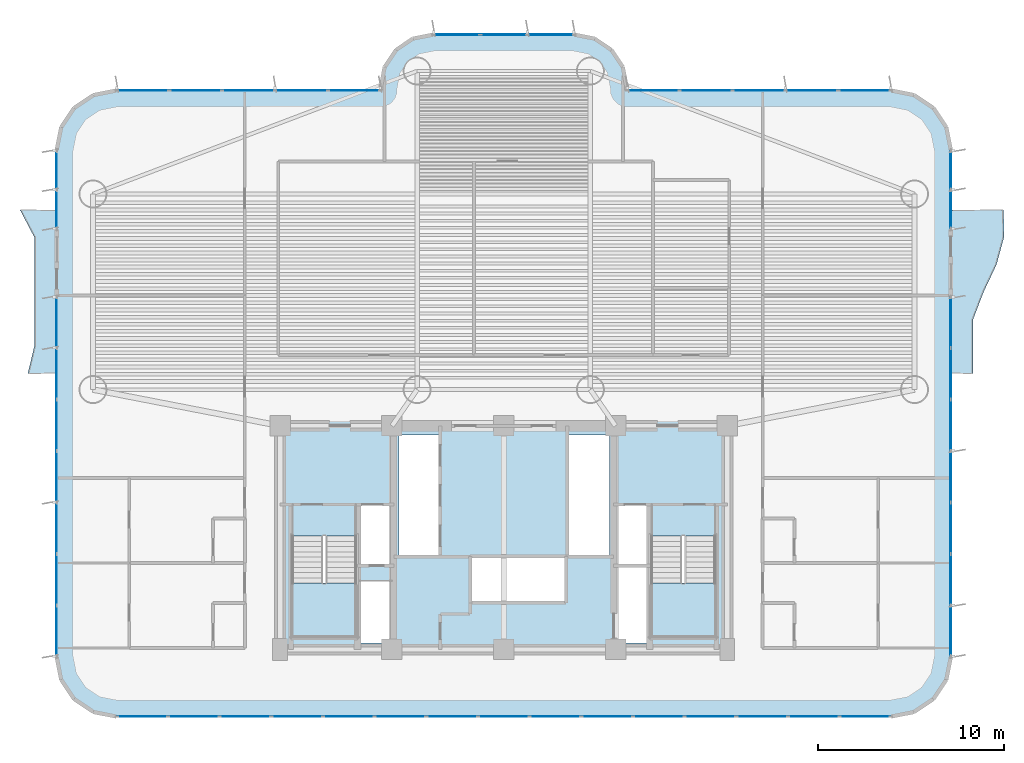
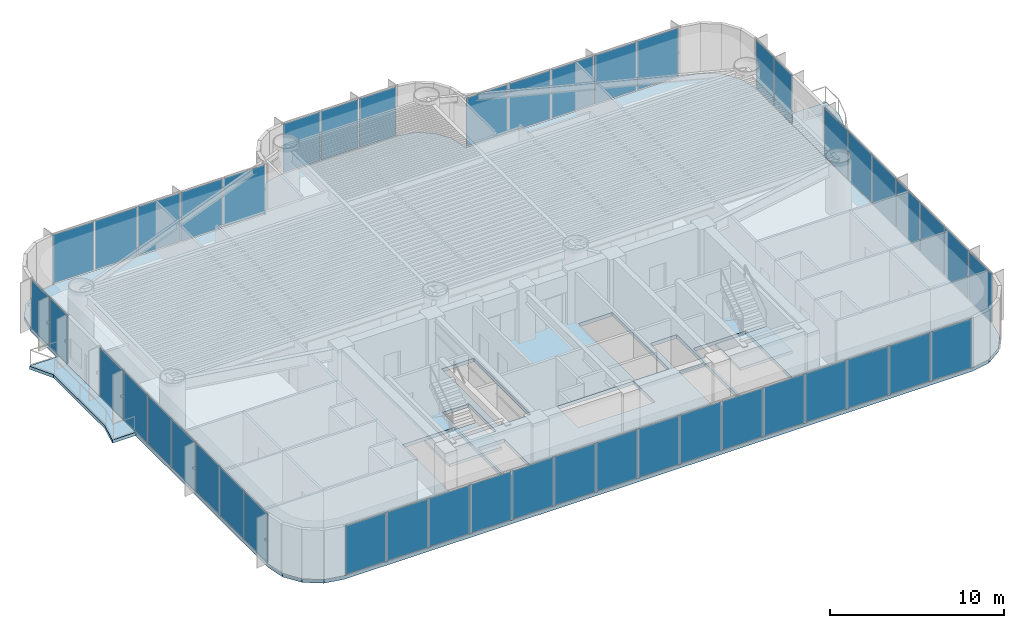
# One storey, part 9 of 17: 46 plates, 5 slabs, 10 elements without a shape of their own.
"""IFC4 building model written with IfcOpenShell, lengths in metres."""

from ifc_helpers import new_model, si_unit, direction, frame, origin, origin_2d, place, context, subcontext, project, spatial, polyline, rectangle, outline, extrude, source, transform, mapped, material, layer, layer_set, type_object, element, aggregate, save


model = new_model("IFC4")

# Units and contexts
model_context = context("Model", 3, precision=1e-05, world=origin(), true_north=direction((0.0, 1.0)))
body_context = subcontext(model_context, "Body", "Model", "MODEL_VIEW")
ifc_project = project(units=[si_unit("LENGTHUNIT", "METRE"), si_unit("AREAUNIT", "SQUARE_METRE"), si_unit("VOLUMEUNIT", "CUBIC_METRE"), si_unit("PLANEANGLEUNIT", "RADIAN"), si_unit("MASSUNIT", "GRAM", prefix="KILO")], contexts=[model_context])

# Site, building, storey
site_placement = place(None, origin())
site = spatial("IfcSite", under=ifc_project, at=site_placement, CompositionType="ELEMENT")
building_placement = place(site_placement, origin())
building = spatial("IfcBuilding", under=site, at=building_placement, Name="Brelvock Crest Care Tower", CompositionType="ELEMENT")
storey_placement = place(building_placement, frame((0.0, 0.0, 49.679931640625)))
storey = spatial("IfcBuildingStorey", under=building, at=storey_placement, Name="L12", CompositionType="ELEMENT", Elevation=49.679931640625)

# Slabs
ifc_material_1 = material(Name="Concrete N50 (50 MPa)", Category="concrete")
ifc_layer_1 = layer(ifc_material_1, 0.25, Name="SLB-FL3")
ifc_layer_set_1 = layer_set([ifc_layer_1], Name="Concrete N50 (50 MPa)")
slab_type_1 = type_object("IfcSlabType", Name="SLB-FL3", PredefinedType="FLOOR", material=ifc_layer_set_1)
slab_1_placement = place(storey_placement, frame((0.0, 0.0, -0.25)))
element("IfcSlab", 1, at=slab_1_placement, inside=storey, type_object=slab_type_1, Name="L12 Main Structural Slab", PredefinedType="FLOOR", context=body_context, shape_type="SweptSolid", body=[
    extrude(outline(polyline([(56.800048828125, 36.0), (42.60009765625, 36.0), (42.60009765625, 36.199951171875), (42.386962890625, 37.271484375), (41.77978515625, 38.179931640625), (40.87158203125, 38.786865234375), (39.800048828125, 39.0), (32.199951171875, 39.0), (31.12841796875, 38.786865234375), (30.22021484375, 38.179931640625), (29.613037109375, 37.271484375), (29.39990234375, 36.199951171875), (29.39990234375, 36.0), (15.199951171875, 36.0), (13.975341796875, 35.75634765625), (12.937255859375, 35.062744140625), (12.24365234375, 34.024658203125), (12.0, 32.800048828125), (12.0, 5.60009765625), (12.24365234375, 4.37548828125), (12.937255859375, 3.33740234375), (13.975341796875, 2.6435546875), (15.199951171875, 2.39990234375), (56.800048828125, 2.39990234375), (58.024658203125, 2.6435546875), (59.062744140625, 3.33740234375), (59.75634765625, 4.37548828125), (60.0, 5.60009765625), (60.0, 32.800048828125), (59.75634765625, 34.024658203125), (59.062744140625, 35.062744140625), (58.024658203125, 35.75634765625), (56.800048828125, 36.0)]), holes=[polyline([(28.239990234375, 10.580078125), (29.97998046875, 10.580078125), (29.97998046875, 13.739990234375), (28.239990234375, 13.739990234375), (28.239990234375, 10.580078125)]), polyline([(42.02001953125, 10.580078125), (43.760009765625, 10.580078125), (43.760009765625, 13.739990234375), (42.02001953125, 13.739990234375), (42.02001953125, 10.580078125)]), polyline([(28.239990234375, 6.340087890625), (29.97998046875, 6.340087890625), (29.97998046875, 9.64990234375), (28.239990234375, 9.64990234375), (28.239990234375, 6.340087890625)]), polyline([(24.6298828125, 12.080078125), (24.6298828125, 6.699951171875), (28.110107421875, 6.699951171875), (28.110107421875, 12.080078125), (24.6298828125, 12.080078125)]), polyline([(43.889892578125, 12.080078125), (43.889892578125, 6.699951171875), (47.3701171875, 6.699951171875), (47.3701171875, 12.080078125), (43.889892578125, 12.080078125)]), polyline([(42.02001953125, 6.340087890625), (43.760009765625, 6.340087890625), (43.760009765625, 10.5), (42.02001953125, 10.5), (42.02001953125, 6.340087890625)]), polyline([(30.3798828125, 11.030029296875), (32.52001953125, 11.030029296875), (32.52001953125, 17.52001953125), (30.3798828125, 17.52001953125), (30.3798828125, 11.030029296875)]), polyline([(34.22998046875, 8.530029296875), (39.320068359375, 8.530029296875), (39.320068359375, 10.969970703125), (34.22998046875, 10.969970703125), (34.22998046875, 8.530029296875)]), polyline([(39.429931640625, 11.030029296875), (41.669921875, 11.030029296875), (41.669921875, 17.52001953125), (39.429931640625, 17.52001953125), (39.429931640625, 11.030029296875)])]), origin(), (0.0, 0.0, 1.0), 0.25),
])
ifc_layer_2 = layer(ifc_material_1, 0.219970703125, Name="SLB-WB1")
ifc_layer_set_2 = layer_set([ifc_layer_2], Name="Concrete N50 (50 MPa)")
slab_type_2 = type_object("IfcSlabType", Name="SLB-WB1", PredefinedType="FLOOR", material=ifc_layer_set_2)
slab_2_placement = place(storey_placement, frame((0.0, 0.0, -0.219970703125)))
element("IfcSlab", 2, at=slab_2_placement, inside=storey, type_object=slab_type_2, Name="L12 W Sinusoidal Wave Balcony Slab", PredefinedType="FLOOR", context=body_context, shape_type="SweptSolid", body=[
    extrude(outline(polyline([(12.0, 29.60009765625), (10.03271484375, 29.60009765625), (10.79931640625, 28.13330078125), (10.800048828125, 26.666748046875), (10.800048828125, 25.199951171875), (10.800048828125, 23.7333984375), (10.800048828125, 22.2666015625), (10.449951171875, 20.800048828125), (12.0, 20.800048828125), (12.0, 29.60009765625)])), origin(), (0.0, 0.0, 1.0), 0.219970703125),
])
slab_3_placement = place(storey_placement, frame((0.0, 0.0, -0.219970703125)))
element("IfcSlab", 3, at=slab_3_placement, inside=storey, type_object=slab_type_2, Name="L12 E Sinusoidal Wave Balcony Slab", PredefinedType="FLOOR", context=body_context, shape_type="SweptSolid", body=[
    extrude(outline(polyline([(60.0, 20.800048828125), (61.199951171875, 20.800048828125), (61.199951171875, 22.2666015625), (61.199951171875, 23.7333984375), (61.76123046875, 25.199951171875), (62.453369140625, 26.666748046875), (62.85400390625, 28.13330078125), (62.833984375, 29.60009765625), (60.0, 29.60009765625), (60.0, 20.800048828125)])), origin(), (0.0, 0.0, 1.0), 0.219970703125),
])

# Stair, slab
ifc_material_2 = material(Name="Concrete N40 (40 MPa)", Category="concrete")
stair_type = type_object("IfcStairType", Name="ST-CORE1", PredefinedType="HALF_TURN_STAIR", material=ifc_material_2)
stair_1_placement = place(storey_placement, origin())
stair_1 = element("IfcStair", 4, at=stair_1_placement, inside=storey, type_object=stair_type, Name="L12 Fire-Isolated Core Stair ST-1", PredefinedType="HALF_TURN_STAIR")
ifc_layer_3 = layer(ifc_material_2, 0.199951171875, Name="STL-1")
ifc_layer_set_3 = layer_set([ifc_layer_3], Name="Concrete N40 (40 MPa)")
slab_type_3 = type_object("IfcSlabType", Name="STL-1", PredefinedType="LANDING", material=ifc_layer_set_3)
slab_4_placement = place(storey_placement, frame((0.0, 0.0, 1.690185546875)))
slab_4 = element("IfcSlab", 5, at=slab_4_placement, type_object=slab_type_3, Name="ST-1 landing 1", PredefinedType="LANDING", context=body_context, shape_type="SweptSolid", body=[
    extrude(outline(polyline([(24.6298828125, 9.56005859375), (24.6298828125, 6.699951171875), (28.110107421875, 6.699951171875), (28.110107421875, 9.56005859375), (24.6298828125, 9.56005859375)])), origin(), (0.0, 0.0, 1.0), 0.199951171875),
])
aggregate(stair_1, [slab_4])

stair_2_placement = place(storey_placement, origin())
stair_2 = element("IfcStair", 6, at=stair_2_placement, inside=storey, type_object=stair_type, Name="L12 Fire-Isolated Core Stair ST-2", PredefinedType="HALF_TURN_STAIR")
slab_5_placement = place(storey_placement, frame((0.0, 0.0, 1.690185546875)))
slab_5 = element("IfcSlab", 7, at=slab_5_placement, type_object=slab_type_3, Name="ST-2 landing 1", PredefinedType="LANDING", context=body_context, shape_type="SweptSolid", body=[
    extrude(outline(polyline([(43.889892578125, 9.56005859375), (43.889892578125, 6.699951171875), (47.3701171875, 6.699951171875), (47.3701171875, 9.56005859375), (43.889892578125, 9.56005859375)])), origin(), (0.0, 0.0, 1.0), 0.199951171875),
])
aggregate(stair_2, [slab_5])

# Curtain wall, plates
ifc_material_3 = material(Name="Dark Glass Double Glazed Low-E", Category="glass")
ifc_layer_4 = layer(ifc_material_3, 0.195068359375, Name="CWS-2")
ifc_layer_set_4 = layer_set([ifc_layer_4], Name="Dark Glass Double Glazed Low-E")
curtain_wall_type = type_object("IfcCurtainWallType", Name="CWS-2", PredefinedType="NOTDEFINED", material=ifc_layer_set_4)
curtain_wall_1_placement = place(storey_placement, origin())
curtain_wall_1 = element("IfcCurtainWall", 8, at=curtain_wall_1_placement, inside=storey, type_object=curtain_wall_type, Name="L12 Curtain Wall E08", PredefinedType="NOTDEFINED")
ifc_layer_5 = layer(ifc_material_3, 0.031982421875, Name="CWP-V1")
ifc_layer_set_5 = layer_set([ifc_layer_5], Name="Dark Glass Double Glazed Low-E")
plate_type = type_object("IfcPlateType", Name="CWP-V1", PredefinedType="CURTAIN_PANEL", material=ifc_layer_set_5)
shared_shape_1 = source(origin(), body_context, "Body", "SweptSolid", [
    extrude(rectangle(XDim=2.67578125, YDim=0.035888671875, at=origin_2d()), origin(), (0.0, 0.0, 1.0), 3.39990234375),
])
plate_1_placement = place(storey_placement, frame((55.39697265625, 2.39990234375, 0.065185546875), z_axis=(0.0, 0.0, 1.0), x_axis=(-1.0, 0.0, 0.0)))
plate_1 = element("IfcPlate", 9, at=plate_1_placement, type_object=plate_type, Name="CW-2 panel 1.1", PredefinedType="CURTAIN_PANEL", context=body_context, shape_type="MappedRepresentation", body=[
    mapped(shared_shape_1, transform((0.0, 0.0, 0.0), x_axis=(1.0, 0.0, 0.0), y_axis=(0.0, 1.0, 0.0), z_axis=(0.0, 0.0, 1.0), scale=1.0)),
])
plate_2_placement = place(storey_placement, frame((16.60302734375, 2.39990234375, 0.065185546875), z_axis=(0.0, 0.0, 1.0), x_axis=(-1.0, 0.0, 0.0)))
plate_2 = element("IfcPlate", 10, at=plate_2_placement, type_object=plate_type, Name="CW-2 panel 15.1", PredefinedType="CURTAIN_PANEL", context=body_context, shape_type="MappedRepresentation", body=[
    mapped(shared_shape_1, transform((0.0, 0.0, 0.0), x_axis=(1.0, 0.0, 0.0), y_axis=(0.0, 1.0, 0.0), z_axis=(0.0, 0.0, 1.0), scale=1.0)),
])
shared_shape_2 = source(origin(), body_context, "Body", "SweptSolid", [
    extrude(rectangle(XDim=2.708251953125, YDim=0.035888671875, at=origin_2d()), origin(), (0.0, 0.0, 1.0), 3.39990234375),
])
plate_3_placement = place(storey_placement, frame((52.639892578125, 2.39990234375, 0.065185546875), z_axis=(0.0, 0.0, 1.0), x_axis=(-1.0, 0.0, 0.0)))
plate_3 = element("IfcPlate", 11, at=plate_3_placement, type_object=plate_type, Name="CW-2 panel 2.1", PredefinedType="CURTAIN_PANEL", context=body_context, shape_type="MappedRepresentation", body=[
    mapped(shared_shape_2, transform((0.0, 0.0, 0.0), x_axis=(1.0, 0.0, 0.0), y_axis=(0.0, 1.0, 0.0), z_axis=(0.0, 0.0, 1.0), scale=1.0)),
])
plate_4_placement = place(storey_placement, frame((49.86669921875, 2.39990234375, 0.065185546875), z_axis=(0.0, 0.0, 1.0), x_axis=(-1.0, 0.0, 0.0)))
plate_4 = element("IfcPlate", 12, at=plate_4_placement, type_object=plate_type, Name="CW-2 panel 3.1", PredefinedType="CURTAIN_PANEL", context=body_context, shape_type="MappedRepresentation", body=[
    mapped(shared_shape_2, transform((0.0, 0.0, 0.0), x_axis=(1.0, 0.0, 0.0), y_axis=(0.0, 1.0, 0.0), z_axis=(0.0, 0.0, 1.0), scale=1.0)),
])
plate_5_placement = place(storey_placement, frame((47.09326171875, 2.39990234375, 0.065185546875), z_axis=(0.0, 0.0, 1.0), x_axis=(-1.0, 0.0, 0.0)))
plate_5 = element("IfcPlate", 13, at=plate_5_placement, type_object=plate_type, Name="CW-2 panel 4.1", PredefinedType="CURTAIN_PANEL", context=body_context, shape_type="MappedRepresentation", body=[
    mapped(shared_shape_2, transform((0.0, 0.0, 0.0), x_axis=(1.0, 0.0, 0.0), y_axis=(0.0, 1.0, 0.0), z_axis=(0.0, 0.0, 1.0), scale=1.0)),
])
plate_6_placement = place(storey_placement, frame((44.320068359375, 2.39990234375, 0.065185546875), z_axis=(0.0, 0.0, 1.0), x_axis=(-1.0, 0.0, 0.0)))
plate_6 = element("IfcPlate", 14, at=plate_6_placement, type_object=plate_type, Name="CW-2 panel 5.1", PredefinedType="CURTAIN_PANEL", context=body_context, shape_type="MappedRepresentation", body=[
    mapped(shared_shape_2, transform((0.0, 0.0, 0.0), x_axis=(1.0, 0.0, 0.0), y_axis=(0.0, 1.0, 0.0), z_axis=(0.0, 0.0, 1.0), scale=1.0)),
])
plate_7_placement = place(storey_placement, frame((41.546630859375, 2.39990234375, 0.065185546875), z_axis=(0.0, 0.0, 1.0), x_axis=(-1.0, 0.0, 0.0)))
plate_7 = element("IfcPlate", 15, at=plate_7_placement, type_object=plate_type, Name="CW-2 panel 6.1", PredefinedType="CURTAIN_PANEL", context=body_context, shape_type="MappedRepresentation", body=[
    mapped(shared_shape_2, transform((0.0, 0.0, 0.0), x_axis=(1.0, 0.0, 0.0), y_axis=(0.0, 1.0, 0.0), z_axis=(0.0, 0.0, 1.0), scale=1.0)),
])
plate_8_placement = place(storey_placement, frame((38.7734375, 2.39990234375, 0.065185546875), z_axis=(0.0, 0.0, 1.0), x_axis=(-1.0, 0.0, 0.0)))
plate_8 = element("IfcPlate", 16, at=plate_8_placement, type_object=plate_type, Name="CW-2 panel 7.1", PredefinedType="CURTAIN_PANEL", context=body_context, shape_type="MappedRepresentation", body=[
    mapped(shared_shape_2, transform((0.0, 0.0, 0.0), x_axis=(1.0, 0.0, 0.0), y_axis=(0.0, 1.0, 0.0), z_axis=(0.0, 0.0, 1.0), scale=1.0)),
])
plate_9_placement = place(storey_placement, frame((36.0, 2.39990234375, 0.065185546875), z_axis=(0.0, 0.0, 1.0), x_axis=(-1.0, 0.0, 0.0)))
plate_9 = element("IfcPlate", 17, at=plate_9_placement, type_object=plate_type, Name="CW-2 panel 8.1", PredefinedType="CURTAIN_PANEL", context=body_context, shape_type="MappedRepresentation", body=[
    mapped(shared_shape_2, transform((0.0, 0.0, 0.0), x_axis=(1.0, 0.0, 0.0), y_axis=(0.0, 1.0, 0.0), z_axis=(0.0, 0.0, 1.0), scale=1.0)),
])
plate_10_placement = place(storey_placement, frame((33.2265625, 2.39990234375, 0.065185546875), z_axis=(0.0, 0.0, 1.0), x_axis=(-1.0, 0.0, 0.0)))
plate_10 = element("IfcPlate", 18, at=plate_10_placement, type_object=plate_type, Name="CW-2 panel 9.1", PredefinedType="CURTAIN_PANEL", context=body_context, shape_type="MappedRepresentation", body=[
    mapped(shared_shape_2, transform((0.0, 0.0, 0.0), x_axis=(1.0, 0.0, 0.0), y_axis=(0.0, 1.0, 0.0), z_axis=(0.0, 0.0, 1.0), scale=1.0)),
])
plate_11_placement = place(storey_placement, frame((30.453369140625, 2.39990234375, 0.065185546875), z_axis=(0.0, 0.0, 1.0), x_axis=(-1.0, 0.0, 0.0)))
plate_11 = element("IfcPlate", 19, at=plate_11_placement, type_object=plate_type, Name="CW-2 panel 10.1", PredefinedType="CURTAIN_PANEL", context=body_context, shape_type="MappedRepresentation", body=[
    mapped(shared_shape_2, transform((0.0, 0.0, 0.0), x_axis=(1.0, 0.0, 0.0), y_axis=(0.0, 1.0, 0.0), z_axis=(0.0, 0.0, 1.0), scale=1.0)),
])
plate_12_placement = place(storey_placement, frame((27.679931640625, 2.39990234375, 0.065185546875), z_axis=(0.0, 0.0, 1.0), x_axis=(-1.0, 0.0, 0.0)))
plate_12 = element("IfcPlate", 20, at=plate_12_placement, type_object=plate_type, Name="CW-2 panel 11.1", PredefinedType="CURTAIN_PANEL", context=body_context, shape_type="MappedRepresentation", body=[
    mapped(shared_shape_2, transform((0.0, 0.0, 0.0), x_axis=(1.0, 0.0, 0.0), y_axis=(0.0, 1.0, 0.0), z_axis=(0.0, 0.0, 1.0), scale=1.0)),
])
plate_13_placement = place(storey_placement, frame((24.90673828125, 2.39990234375, 0.065185546875), z_axis=(0.0, 0.0, 1.0), x_axis=(-1.0, 0.0, 0.0)))
plate_13 = element("IfcPlate", 21, at=plate_13_placement, type_object=plate_type, Name="CW-2 panel 12.1", PredefinedType="CURTAIN_PANEL", context=body_context, shape_type="MappedRepresentation", body=[
    mapped(shared_shape_2, transform((0.0, 0.0, 0.0), x_axis=(1.0, 0.0, 0.0), y_axis=(0.0, 1.0, 0.0), z_axis=(0.0, 0.0, 1.0), scale=1.0)),
])
plate_14_placement = place(storey_placement, frame((22.13330078125, 2.39990234375, 0.065185546875), z_axis=(0.0, 0.0, 1.0), x_axis=(-1.0, 0.0, 0.0)))
plate_14 = element("IfcPlate", 22, at=plate_14_placement, type_object=plate_type, Name="CW-2 panel 13.1", PredefinedType="CURTAIN_PANEL", context=body_context, shape_type="MappedRepresentation", body=[
    mapped(shared_shape_2, transform((0.0, 0.0, 0.0), x_axis=(1.0, 0.0, 0.0), y_axis=(0.0, 1.0, 0.0), z_axis=(0.0, 0.0, 1.0), scale=1.0)),
])
plate_15_placement = place(storey_placement, frame((19.360107421875, 2.39990234375, 0.065185546875), z_axis=(0.0, 0.0, 1.0), x_axis=(-1.0, 0.0, 0.0)))
plate_15 = element("IfcPlate", 23, at=plate_15_placement, type_object=plate_type, Name="CW-2 panel 14.1", PredefinedType="CURTAIN_PANEL", context=body_context, shape_type="MappedRepresentation", body=[
    mapped(shared_shape_2, transform((0.0, 0.0, 0.0), x_axis=(1.0, 0.0, 0.0), y_axis=(0.0, 1.0, 0.0), z_axis=(0.0, 0.0, 1.0), scale=1.0)),
])
aggregate(curtain_wall_1, [plate_1, plate_3, plate_4, plate_5, plate_6, plate_7, plate_8, plate_9, plate_10, plate_11, plate_12, plate_13, plate_14, plate_15, plate_2])

curtain_wall_2_placement = place(storey_placement, origin())
curtain_wall_2 = element("IfcCurtainWall", 24, at=curtain_wall_2_placement, inside=storey, type_object=curtain_wall_type, Name="L12 Curtain Wall E18", PredefinedType="NOTDEFINED")
shared_shape_3 = source(origin(), body_context, "Body", "SweptSolid", [
    extrude(rectangle(XDim=2.742431640625, YDim=0.035888671875, at=origin_2d()), origin(), (0.0, 0.0, 1.0), 3.39990234375),
])
plate_16_placement = place(storey_placement, frame((16.63623046875, 36.0, 0.065185546875), z_axis=(0.0, 0.0, 1.0), x_axis=(1.0, 0.0, 0.0)))
plate_16 = element("IfcPlate", 25, at=plate_16_placement, type_object=plate_type, Name="CW-2 panel 1.1", PredefinedType="CURTAIN_PANEL", context=body_context, shape_type="MappedRepresentation", body=[
    mapped(shared_shape_3, transform((0.0, 0.0, 0.0), x_axis=(1.0, 0.0, 0.0), y_axis=(0.0, 1.0, 0.0), z_axis=(0.0, 0.0, 1.0), scale=1.0)),
])
plate_17_placement = place(storey_placement, frame((27.9638671875, 36.0, 0.065185546875), z_axis=(0.0, 0.0, 1.0), x_axis=(1.0, 0.0, 0.0)))
plate_17 = element("IfcPlate", 26, at=plate_17_placement, type_object=plate_type, Name="CW-2 panel 5.1", PredefinedType="CURTAIN_PANEL", context=body_context, shape_type="MappedRepresentation", body=[
    mapped(shared_shape_3, transform((0.0, 0.0, 0.0), x_axis=(1.0, 0.0, 0.0), y_axis=(0.0, 1.0, 0.0), z_axis=(0.0, 0.0, 1.0), scale=1.0)),
])

curtain_wall_3_placement = place(storey_placement, origin())
curtain_wall_3 = element("IfcCurtainWall", 27, at=curtain_wall_3_placement, inside=storey, type_object=curtain_wall_type, Name="L12 Curtain Wall E30", PredefinedType="NOTDEFINED")
plate_18_placement = place(storey_placement, frame((44.0361328125, 36.0, 0.065185546875), z_axis=(0.0, 0.0, 1.0), x_axis=(1.0, 0.0, 0.0)))
plate_18 = element("IfcPlate", 28, at=plate_18_placement, type_object=plate_type, Name="CW-2 panel 1.1", PredefinedType="CURTAIN_PANEL", context=body_context, shape_type="MappedRepresentation", body=[
    mapped(shared_shape_3, transform((0.0, 0.0, 0.0), x_axis=(1.0, 0.0, 0.0), y_axis=(0.0, 1.0, 0.0), z_axis=(0.0, 0.0, 1.0), scale=1.0)),
])
plate_19_placement = place(storey_placement, frame((55.36376953125, 36.0, 0.065185546875), z_axis=(0.0, 0.0, 1.0), x_axis=(1.0, 0.0, 0.0)))
plate_19 = element("IfcPlate", 29, at=plate_19_placement, type_object=plate_type, Name="CW-2 panel 5.1", PredefinedType="CURTAIN_PANEL", context=body_context, shape_type="MappedRepresentation", body=[
    mapped(shared_shape_3, transform((0.0, 0.0, 0.0), x_axis=(1.0, 0.0, 0.0), y_axis=(0.0, 1.0, 0.0), z_axis=(0.0, 0.0, 1.0), scale=1.0)),
])

# Plate
shared_shape_4 = source(origin(), body_context, "Body", "SweptSolid", [
    extrude(rectangle(XDim=2.77490234375, YDim=0.035888671875, at=origin_2d()), origin(), (0.0, 0.0, 1.0), 3.39990234375),
])
plate_20_placement = place(storey_placement, frame((19.4599609375, 36.0, 0.065185546875), z_axis=(0.0, 0.0, 1.0), x_axis=(1.0, 0.0, 0.0)))
plate_20 = element("IfcPlate", 30, at=plate_20_placement, type_object=plate_type, Name="CW-2 panel 2.1", PredefinedType="CURTAIN_PANEL", context=body_context, shape_type="MappedRepresentation", body=[
    mapped(shared_shape_4, transform((0.0, 0.0, 0.0), x_axis=(1.0, 0.0, 0.0), y_axis=(0.0, 1.0, 0.0), z_axis=(0.0, 0.0, 1.0), scale=1.0)),
])

plate_21_placement = place(storey_placement, frame((22.300048828125, 36.0, 0.065185546875), z_axis=(0.0, 0.0, 1.0), x_axis=(1.0, 0.0, 0.0)))
plate_21 = element("IfcPlate", 31, at=plate_21_placement, type_object=plate_type, Name="CW-2 panel 3.1", PredefinedType="CURTAIN_PANEL", context=body_context, shape_type="MappedRepresentation", body=[
    mapped(shared_shape_4, transform((0.0, 0.0, 0.0), x_axis=(1.0, 0.0, 0.0), y_axis=(0.0, 1.0, 0.0), z_axis=(0.0, 0.0, 1.0), scale=1.0)),
])

plate_22_placement = place(storey_placement, frame((25.139892578125, 36.0, 0.065185546875), z_axis=(0.0, 0.0, 1.0), x_axis=(1.0, 0.0, 0.0)))
plate_22 = element("IfcPlate", 32, at=plate_22_placement, type_object=plate_type, Name="CW-2 panel 4.1", PredefinedType="CURTAIN_PANEL", context=body_context, shape_type="MappedRepresentation", body=[
    mapped(shared_shape_4, transform((0.0, 0.0, 0.0), x_axis=(1.0, 0.0, 0.0), y_axis=(0.0, 1.0, 0.0), z_axis=(0.0, 0.0, 1.0), scale=1.0)),
])

aggregate(curtain_wall_2, [plate_16, plate_20, plate_21, plate_22, plate_17])

plate_23_placement = place(storey_placement, frame((46.860107421875, 36.0, 0.065185546875), z_axis=(0.0, 0.0, 1.0), x_axis=(1.0, 0.0, 0.0)))
plate_23 = element("IfcPlate", 33, at=plate_23_placement, type_object=plate_type, Name="CW-2 panel 2.1", PredefinedType="CURTAIN_PANEL", context=body_context, shape_type="MappedRepresentation", body=[
    mapped(shared_shape_4, transform((0.0, 0.0, 0.0), x_axis=(1.0, 0.0, 0.0), y_axis=(0.0, 1.0, 0.0), z_axis=(0.0, 0.0, 1.0), scale=1.0)),
])

plate_24_placement = place(storey_placement, frame((49.699951171875, 36.0, 0.065185546875), z_axis=(0.0, 0.0, 1.0), x_axis=(1.0, 0.0, 0.0)))
plate_24 = element("IfcPlate", 34, at=plate_24_placement, type_object=plate_type, Name="CW-2 panel 3.1", PredefinedType="CURTAIN_PANEL", context=body_context, shape_type="MappedRepresentation", body=[
    mapped(shared_shape_4, transform((0.0, 0.0, 0.0), x_axis=(1.0, 0.0, 0.0), y_axis=(0.0, 1.0, 0.0), z_axis=(0.0, 0.0, 1.0), scale=1.0)),
])

plate_25_placement = place(storey_placement, frame((52.5400390625, 36.0, 0.065185546875), z_axis=(0.0, 0.0, 1.0), x_axis=(1.0, 0.0, 0.0)))
plate_25 = element("IfcPlate", 35, at=plate_25_placement, type_object=plate_type, Name="CW-2 panel 4.1", PredefinedType="CURTAIN_PANEL", context=body_context, shape_type="MappedRepresentation", body=[
    mapped(shared_shape_4, transform((0.0, 0.0, 0.0), x_axis=(1.0, 0.0, 0.0), y_axis=(0.0, 1.0, 0.0), z_axis=(0.0, 0.0, 1.0), scale=1.0)),
])

aggregate(curtain_wall_3, [plate_18, plate_23, plate_24, plate_25, plate_19])

# Curtain wall, plates
curtain_wall_4_placement = place(storey_placement, origin())
curtain_wall_4 = element("IfcCurtainWall", 36, at=curtain_wall_4_placement, inside=storey, type_object=curtain_wall_type, Name="L12 Curtain Wall E24", PredefinedType="NOTDEFINED")
shared_shape_5 = source(origin(), body_context, "Body", "SweptSolid", [
    extrude(rectangle(XDim=2.435791015625, YDim=0.035888671875, at=origin_2d()), origin(), (0.0, 0.0, 1.0), 3.39990234375),
])
plate_26_placement = place(storey_placement, frame((33.48291015625, 39.0, 0.065185546875), z_axis=(0.0, 0.0, 1.0), x_axis=(1.0, 0.0, 0.0)))
plate_26 = element("IfcPlate", 37, at=plate_26_placement, type_object=plate_type, Name="CW-2 panel 1.1", PredefinedType="CURTAIN_PANEL", context=body_context, shape_type="MappedRepresentation", body=[
    mapped(shared_shape_5, transform((0.0, 0.0, 0.0), x_axis=(1.0, 0.0, 0.0), y_axis=(0.0, 1.0, 0.0), z_axis=(0.0, 0.0, 1.0), scale=1.0)),
])
plate_27_placement = place(storey_placement, frame((38.51708984375, 39.0, 0.065185546875), z_axis=(0.0, 0.0, 1.0), x_axis=(1.0, 0.0, 0.0)))
plate_27 = element("IfcPlate", 38, at=plate_27_placement, type_object=plate_type, Name="CW-2 panel 3.1", PredefinedType="CURTAIN_PANEL", context=body_context, shape_type="MappedRepresentation", body=[
    mapped(shared_shape_5, transform((0.0, 0.0, 0.0), x_axis=(1.0, 0.0, 0.0), y_axis=(0.0, 1.0, 0.0), z_axis=(0.0, 0.0, 1.0), scale=1.0)),
])
shared_shape_6 = source(origin(), body_context, "Body", "SweptSolid", [
    extrude(rectangle(XDim=2.46826171875, YDim=0.035888671875, at=origin_2d()), origin(), (0.0, 0.0, 1.0), 3.39990234375),
])
plate_28_placement = place(storey_placement, frame((36.0, 39.0, 0.065185546875), z_axis=(0.0, 0.0, 1.0), x_axis=(1.0, 0.0, 0.0)))
plate_28 = element("IfcPlate", 39, at=plate_28_placement, type_object=plate_type, Name="CW-2 panel 2.1", PredefinedType="CURTAIN_PANEL", context=body_context, shape_type="MappedRepresentation", body=[
    mapped(shared_shape_6, transform((0.0, 0.0, 0.0), x_axis=(1.0, 0.0, 0.0), y_axis=(0.0, 1.0, 0.0), z_axis=(0.0, 0.0, 1.0), scale=1.0)),
])
aggregate(curtain_wall_4, [plate_26, plate_28, plate_27])

curtain_wall_5_placement = place(storey_placement, origin())
curtain_wall_5 = element("IfcCurtainWall", 40, at=curtain_wall_5_placement, inside=storey, type_object=curtain_wall_type, Name="L12 Curtain Wall E03A", PredefinedType="NOTDEFINED")
shared_shape_7 = source(origin(), body_context, "Body", "SweptSolid", [
    extrude(rectangle(XDim=2.027587890625, YDim=0.035888671875, at=origin_2d()), origin(), (0.0, 0.0, 1.0), 3.39990234375),
])
plate_29_placement = place(storey_placement, frame((60.0, 31.72119140625, 0.065185546875), z_axis=(0.0, 0.0, 1.0), x_axis=(0.0, -1.0, 0.0)))
plate_29 = element("IfcPlate", 41, at=plate_29_placement, type_object=plate_type, Name="CW-2 panel 1.1", PredefinedType="CURTAIN_PANEL", context=body_context, shape_type="MappedRepresentation", body=[
    mapped(shared_shape_7, transform((0.0, 0.0, 0.0), x_axis=(1.0, 0.0, 0.0), y_axis=(0.0, 1.0, 0.0), z_axis=(0.0, 0.0, 1.0), scale=1.0)),
])
plate_30_placement = place(storey_placement, frame((60.0, 29.628662109375, 0.065185546875), z_axis=(0.0, 0.0, 1.0), x_axis=(0.0, -1.0, 0.0)))
plate_30 = element("IfcPlate", 42, at=plate_30_placement, type_object=plate_type, Name="CW-2 panel 2.1", PredefinedType="CURTAIN_PANEL", context=body_context, shape_type="MappedRepresentation", body=[
    mapped(shared_shape_7, transform((0.0, 0.0, 0.0), x_axis=(1.0, 0.0, 0.0), y_axis=(0.0, 1.0, 0.0), z_axis=(0.0, 0.0, 1.0), scale=1.0)),
])
aggregate(curtain_wall_5, [plate_29, plate_30])

curtain_wall_6_placement = place(storey_placement, origin())
curtain_wall_6 = element("IfcCurtainWall", 43, at=curtain_wall_6_placement, inside=storey, type_object=curtain_wall_type, Name="L12 Curtain Wall E13B", PredefinedType="NOTDEFINED")
plate_31_placement = place(storey_placement, frame((12.0, 29.628662109375, 0.065185546875), z_axis=(0.0, 0.0, 1.0), x_axis=(0.0, 1.0, 0.0)))
plate_31 = element("IfcPlate", 44, at=plate_31_placement, type_object=plate_type, Name="CW-2 panel 1.1", PredefinedType="CURTAIN_PANEL", context=body_context, shape_type="MappedRepresentation", body=[
    mapped(shared_shape_7, transform((0.0, 0.0, 0.0), x_axis=(1.0, 0.0, 0.0), y_axis=(0.0, 1.0, 0.0), z_axis=(0.0, 0.0, 1.0), scale=1.0)),
])
plate_32_placement = place(storey_placement, frame((12.0, 31.72119140625, 0.065185546875), z_axis=(0.0, 0.0, 1.0), x_axis=(0.0, 1.0, 0.0)))
plate_32 = element("IfcPlate", 45, at=plate_32_placement, type_object=plate_type, Name="CW-2 panel 2.1", PredefinedType="CURTAIN_PANEL", context=body_context, shape_type="MappedRepresentation", body=[
    mapped(shared_shape_7, transform((0.0, 0.0, 0.0), x_axis=(1.0, 0.0, 0.0), y_axis=(0.0, 1.0, 0.0), z_axis=(0.0, 0.0, 1.0), scale=1.0)),
])
aggregate(curtain_wall_6, [plate_31, plate_32])

curtain_wall_7_placement = place(storey_placement, origin())
curtain_wall_7 = element("IfcCurtainWall", 46, at=curtain_wall_7_placement, inside=storey, type_object=curtain_wall_type, Name="L12 Curtain Wall E03B", PredefinedType="NOTDEFINED")
shared_shape_8 = source(origin(), body_context, "Body", "SweptSolid", [
    extrude(rectangle(XDim=2.666748046875, YDim=0.035888671875, at=origin_2d()), origin(), (0.0, 0.0, 1.0), 3.39990234375),
])
plate_33_placement = place(storey_placement, frame((60.0, 23.551513671875, 0.065185546875), z_axis=(0.0, 0.0, 1.0), x_axis=(0.0, -1.0, 0.0)))
plate_33 = element("IfcPlate", 47, at=plate_33_placement, type_object=plate_type, Name="CW-2 panel 1.1", PredefinedType="CURTAIN_PANEL", context=body_context, shape_type="MappedRepresentation", body=[
    mapped(shared_shape_8, transform((0.0, 0.0, 0.0), x_axis=(1.0, 0.0, 0.0), y_axis=(0.0, 1.0, 0.0), z_axis=(0.0, 0.0, 1.0), scale=1.0)),
])
plate_34_placement = place(storey_placement, frame((60.0, 6.998291015625, 0.065185546875), z_axis=(0.0, 0.0, 1.0), x_axis=(0.0, -1.0, 0.0)))
plate_34 = element("IfcPlate", 48, at=plate_34_placement, type_object=plate_type, Name="CW-2 panel 7.1", PredefinedType="CURTAIN_PANEL", context=body_context, shape_type="MappedRepresentation", body=[
    mapped(shared_shape_8, transform((0.0, 0.0, 0.0), x_axis=(1.0, 0.0, 0.0), y_axis=(0.0, 1.0, 0.0), z_axis=(0.0, 0.0, 1.0), scale=1.0)),
])

curtain_wall_8_placement = place(storey_placement, origin())
curtain_wall_8 = element("IfcCurtainWall", 49, at=curtain_wall_8_placement, inside=storey, type_object=curtain_wall_type, Name="L12 Curtain Wall E13A", PredefinedType="NOTDEFINED")
plate_35_placement = place(storey_placement, frame((12.0, 6.998291015625, 0.065185546875), z_axis=(0.0, 0.0, 1.0), x_axis=(0.0, 1.0, 0.0)))
plate_35 = element("IfcPlate", 50, at=plate_35_placement, type_object=plate_type, Name="CW-2 panel 1.1", PredefinedType="CURTAIN_PANEL", context=body_context, shape_type="MappedRepresentation", body=[
    mapped(shared_shape_8, transform((0.0, 0.0, 0.0), x_axis=(1.0, 0.0, 0.0), y_axis=(0.0, 1.0, 0.0), z_axis=(0.0, 0.0, 1.0), scale=1.0)),
])
plate_36_placement = place(storey_placement, frame((12.0, 23.551513671875, 0.065185546875), z_axis=(0.0, 0.0, 1.0), x_axis=(0.0, 1.0, 0.0)))
plate_36 = element("IfcPlate", 51, at=plate_36_placement, type_object=plate_type, Name="CW-2 panel 7.1", PredefinedType="CURTAIN_PANEL", context=body_context, shape_type="MappedRepresentation", body=[
    mapped(shared_shape_8, transform((0.0, 0.0, 0.0), x_axis=(1.0, 0.0, 0.0), y_axis=(0.0, 1.0, 0.0), z_axis=(0.0, 0.0, 1.0), scale=1.0)),
])

# Plate
shared_shape_9 = source(origin(), body_context, "Body", "SweptSolid", [
    extrude(rectangle(XDim=2.69921875, YDim=0.035888671875, at=origin_2d()), origin(), (0.0, 0.0, 1.0), 3.39990234375),
])
plate_37_placement = place(storey_placement, frame((60.0, 20.803466796875, 0.065185546875), z_axis=(0.0, 0.0, 1.0), x_axis=(0.0, -1.0, 0.0)))
plate_37 = element("IfcPlate", 52, at=plate_37_placement, type_object=plate_type, Name="CW-2 panel 2.1", PredefinedType="CURTAIN_PANEL", context=body_context, shape_type="MappedRepresentation", body=[
    mapped(shared_shape_9, transform((0.0, 0.0, 0.0), x_axis=(1.0, 0.0, 0.0), y_axis=(0.0, 1.0, 0.0), z_axis=(0.0, 0.0, 1.0), scale=1.0)),
])

plate_38_placement = place(storey_placement, frame((60.0, 18.039306640625, 0.065185546875), z_axis=(0.0, 0.0, 1.0), x_axis=(0.0, -1.0, 0.0)))
plate_38 = element("IfcPlate", 53, at=plate_38_placement, type_object=plate_type, Name="CW-2 panel 3.1", PredefinedType="CURTAIN_PANEL", context=body_context, shape_type="MappedRepresentation", body=[
    mapped(shared_shape_9, transform((0.0, 0.0, 0.0), x_axis=(1.0, 0.0, 0.0), y_axis=(0.0, 1.0, 0.0), z_axis=(0.0, 0.0, 1.0), scale=1.0)),
])

plate_39_placement = place(storey_placement, frame((60.0, 15.27490234375, 0.065185546875), z_axis=(0.0, 0.0, 1.0), x_axis=(0.0, -1.0, 0.0)))
plate_39 = element("IfcPlate", 54, at=plate_39_placement, type_object=plate_type, Name="CW-2 panel 4.1", PredefinedType="CURTAIN_PANEL", context=body_context, shape_type="MappedRepresentation", body=[
    mapped(shared_shape_9, transform((0.0, 0.0, 0.0), x_axis=(1.0, 0.0, 0.0), y_axis=(0.0, 1.0, 0.0), z_axis=(0.0, 0.0, 1.0), scale=1.0)),
])

plate_40_placement = place(storey_placement, frame((60.0, 12.5107421875, 0.065185546875), z_axis=(0.0, 0.0, 1.0), x_axis=(0.0, -1.0, 0.0)))
plate_40 = element("IfcPlate", 55, at=plate_40_placement, type_object=plate_type, Name="CW-2 panel 5.1", PredefinedType="CURTAIN_PANEL", context=body_context, shape_type="MappedRepresentation", body=[
    mapped(shared_shape_9, transform((0.0, 0.0, 0.0), x_axis=(1.0, 0.0, 0.0), y_axis=(0.0, 1.0, 0.0), z_axis=(0.0, 0.0, 1.0), scale=1.0)),
])

plate_41_placement = place(storey_placement, frame((60.0, 9.746337890625, 0.065185546875), z_axis=(0.0, 0.0, 1.0), x_axis=(0.0, -1.0, 0.0)))
plate_41 = element("IfcPlate", 56, at=plate_41_placement, type_object=plate_type, Name="CW-2 panel 6.1", PredefinedType="CURTAIN_PANEL", context=body_context, shape_type="MappedRepresentation", body=[
    mapped(shared_shape_9, transform((0.0, 0.0, 0.0), x_axis=(1.0, 0.0, 0.0), y_axis=(0.0, 1.0, 0.0), z_axis=(0.0, 0.0, 1.0), scale=1.0)),
])

aggregate(curtain_wall_7, [plate_33, plate_37, plate_38, plate_39, plate_40, plate_41, plate_34])

plate_42_placement = place(storey_placement, frame((12.0, 9.746337890625, 0.065185546875), z_axis=(0.0, 0.0, 1.0), x_axis=(0.0, 1.0, 0.0)))
plate_42 = element("IfcPlate", 57, at=plate_42_placement, type_object=plate_type, Name="CW-2 panel 2.1", PredefinedType="CURTAIN_PANEL", context=body_context, shape_type="MappedRepresentation", body=[
    mapped(shared_shape_9, transform((0.0, 0.0, 0.0), x_axis=(1.0, 0.0, 0.0), y_axis=(0.0, 1.0, 0.0), z_axis=(0.0, 0.0, 1.0), scale=1.0)),
])

plate_43_placement = place(storey_placement, frame((12.0, 12.5107421875, 0.065185546875), z_axis=(0.0, 0.0, 1.0), x_axis=(0.0, 1.0, 0.0)))
plate_43 = element("IfcPlate", 58, at=plate_43_placement, type_object=plate_type, Name="CW-2 panel 3.1", PredefinedType="CURTAIN_PANEL", context=body_context, shape_type="MappedRepresentation", body=[
    mapped(shared_shape_9, transform((0.0, 0.0, 0.0), x_axis=(1.0, 0.0, 0.0), y_axis=(0.0, 1.0, 0.0), z_axis=(0.0, 0.0, 1.0), scale=1.0)),
])

plate_44_placement = place(storey_placement, frame((12.0, 15.27490234375, 0.065185546875), z_axis=(0.0, 0.0, 1.0), x_axis=(0.0, 1.0, 0.0)))
plate_44 = element("IfcPlate", 59, at=plate_44_placement, type_object=plate_type, Name="CW-2 panel 4.1", PredefinedType="CURTAIN_PANEL", context=body_context, shape_type="MappedRepresentation", body=[
    mapped(shared_shape_9, transform((0.0, 0.0, 0.0), x_axis=(1.0, 0.0, 0.0), y_axis=(0.0, 1.0, 0.0), z_axis=(0.0, 0.0, 1.0), scale=1.0)),
])

plate_45_placement = place(storey_placement, frame((12.0, 18.039306640625, 0.065185546875), z_axis=(0.0, 0.0, 1.0), x_axis=(0.0, 1.0, 0.0)))
plate_45 = element("IfcPlate", 60, at=plate_45_placement, type_object=plate_type, Name="CW-2 panel 5.1", PredefinedType="CURTAIN_PANEL", context=body_context, shape_type="MappedRepresentation", body=[
    mapped(shared_shape_9, transform((0.0, 0.0, 0.0), x_axis=(1.0, 0.0, 0.0), y_axis=(0.0, 1.0, 0.0), z_axis=(0.0, 0.0, 1.0), scale=1.0)),
])

plate_46_placement = place(storey_placement, frame((12.0, 20.803466796875, 0.065185546875), z_axis=(0.0, 0.0, 1.0), x_axis=(0.0, 1.0, 0.0)))
plate_46 = element("IfcPlate", 61, at=plate_46_placement, type_object=plate_type, Name="CW-2 panel 6.1", PredefinedType="CURTAIN_PANEL", context=body_context, shape_type="MappedRepresentation", body=[
    mapped(shared_shape_9, transform((0.0, 0.0, 0.0), x_axis=(1.0, 0.0, 0.0), y_axis=(0.0, 1.0, 0.0), z_axis=(0.0, 0.0, 1.0), scale=1.0)),
])

aggregate(curtain_wall_8, [plate_35, plate_42, plate_43, plate_44, plate_45, plate_46, plate_36])

save(model, "model.ifc")
